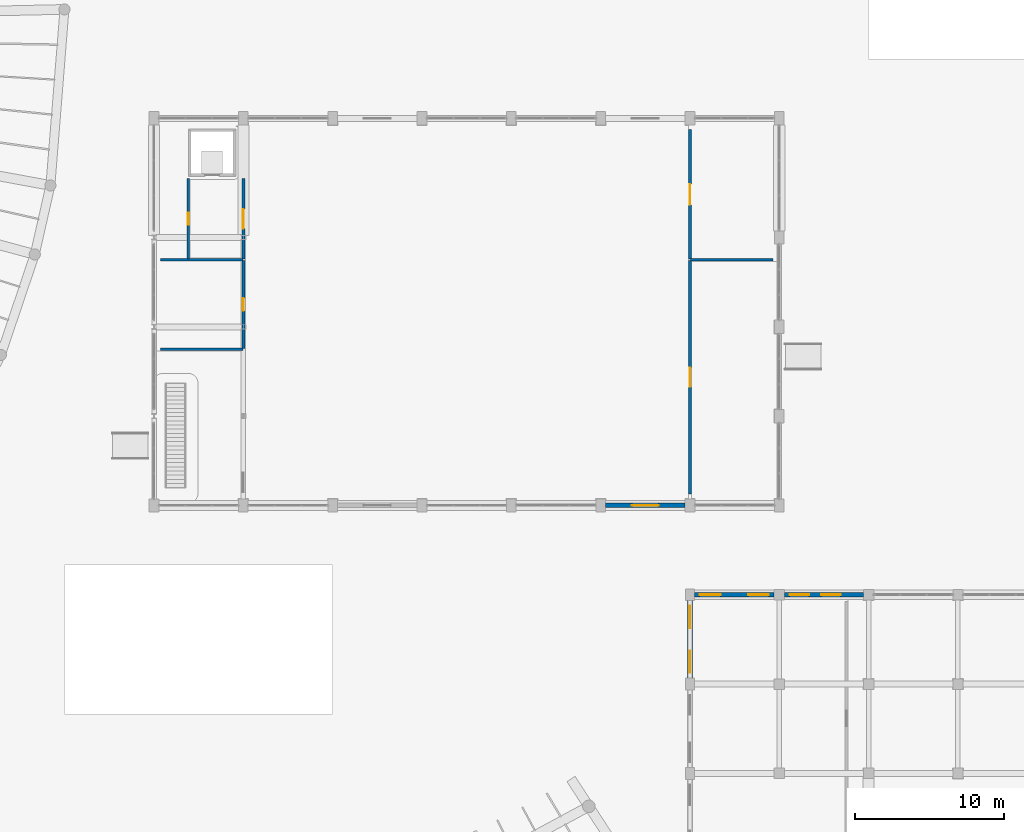
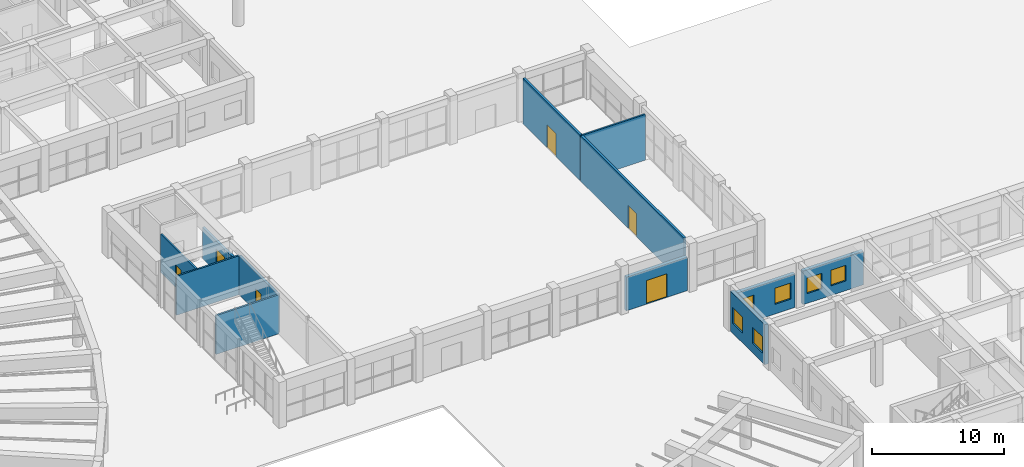
# One storey, part 53 of 76: 12 walls, 6 doors, 6 windows, 12 openings.
"""IFC4 building model written with IfcOpenShell, lengths in metres."""

from ifc_helpers import new_model, si_unit, direction, frame, frame_2d, origin, place, context, subcontext, project, spatial, rectangle, extrude, material, layer, layer_set, type_object, element, fill, save


model = new_model("IFC4")

# Units and contexts
model_context = context("Model", 3, precision=1e-05, world=origin(), true_north=direction((0.0, 1.0)))
body_context = subcontext(model_context, "Body", "Model", "MODEL_VIEW")
ifc_project = project(units=[si_unit("LENGTHUNIT", "METRE"), si_unit("AREAUNIT", "SQUARE_METRE"), si_unit("VOLUMEUNIT", "CUBIC_METRE"), si_unit("PLANEANGLEUNIT", "RADIAN"), si_unit("MASSUNIT", "GRAM", prefix="KILO"), si_unit("POWERUNIT", "WATT"), si_unit("THERMODYNAMICTEMPERATUREUNIT", "KELVIN")], contexts=[model_context])

# Site, building, storey
site_placement = place(None, origin())
site = spatial("IfcSite", under=ifc_project, at=site_placement, CompositionType="ELEMENT")
building_placement = place(site_placement, origin())
building = spatial("IfcBuilding", under=site, at=building_placement, Name="Ruvembo Vaulted Housing Court", CompositionType="ELEMENT")
storey_placement = place(building_placement, origin())
storey = spatial("IfcBuildingStorey", under=building, at=storey_placement, Name="L00", CompositionType="ELEMENT", Elevation=0.0)

# Wall, opening, door
ifc_material_1 = material(Name="Concrete Blockwork 200", Category="masonry")
ifc_layer_1 = layer(ifc_material_1, 0.199951171875, Name="Concrete Blockwork 200")
ifc_layer_set_1 = layer_set([ifc_layer_1], Name="Concrete Blockwork 200")
wall_type_1 = type_object("IfcWallType", Name="WL-CORR-200", PredefinedType="SOLIDWALL", material=ifc_layer_set_1)
wall_1_placement = place(storey_placement, frame((72.0, 52.5400390625, 0.0), z_axis=(0.0, 0.0, 1.0), x_axis=(0.0, 1.0, 0.0)))
wall_1 = element("IfcWall", 1, at=wall_1_placement, inside=storey, type_object=wall_type_1, Name="L00 Hall Toilets WL-INT-L00-00057", PredefinedType="SOLIDWALL", context=body_context, shape_type="SweptSolid", body=[
    extrude(rectangle(XDim=5.919921875, YDim=0.199951171875, at=frame_2d((2.9599609375, 0.0))), origin(), (0.0, 0.0, 1.0), 3.612060546875),
])
opening_1_placement = place(wall_1_placement, frame((2.534912109375, 0.0, 0.0)))
opening_1 = element("IfcOpeningElement", 2, at=opening_1_placement, cuts=wall_1, Name="Opening ID2", PredefinedType="OPENING", context=body_context, shape_type="SweptSolid", body=[
    extrude(rectangle(XDim=0.85009765625, YDim=2.10009765625, at=frame_2d((0.425048828125, 1.050048828125))), frame((0.0, 0.10986328125, 0.0), z_axis=(0.0, -1.0, 0.0), x_axis=(1.0, 0.0, 0.0)), (0.0, 0.0, 1.0), 0.219970703125),
])
ifc_material_2 = material(Name="FSC Hardwood and Engineered Timber", Category="wood")
door_type_1 = type_object("IfcDoorType", Name="DR-WET-0850x2100", OperationType="NOTDEFINED", PredefinedType="DOOR", material=ifc_material_2)
door_1_placement = place(opening_1_placement, origin())
door_1 = element("IfcDoor", 3, at=door_1_placement, inside=storey, type_object=door_type_1, Name="L00 Hall Toilets Door DR-INT-L00-00016", OperationType="SINGLE_SWING_RIGHT", OverallHeight=2.10009765625, OverallWidth=0.85009765625, PredefinedType="DOOR", context=body_context, shape_type="SweptSolid", body=[
    extrude(rectangle(XDim=0.85009765625, YDim=2.10009765625, at=frame_2d((0.425048828125, 1.050048828125))), frame((0.0, 0.02490234375, 0.0), z_axis=(0.0, -1.0, 0.0), x_axis=(1.0, 0.0, 0.0)), (0.0, 0.0, 1.0), 0.050048828125),
])
fill(opening_1, door_1)

wall_2_placement = place(storey_placement, frame((72.0, 58.5400390625, 0.0), z_axis=(0.0, 0.0, 1.0), x_axis=(0.0, 1.0, 0.0)))
wall_2 = element("IfcWall", 4, at=wall_2_placement, inside=storey, type_object=wall_type_1, Name="L00 Hall Lift Lobby WL-INT-L00-00058", PredefinedType="SOLIDWALL", context=body_context, shape_type="SweptSolid", body=[
    extrude(rectangle(XDim=5.419921875, YDim=0.199951171875, at=frame_2d((2.7099609375, 0.0))), origin(), (0.0, 0.0, 1.0), 2.912109375),
])
opening_2_placement = place(wall_2_placement, frame((2.06005859375, 0.0, 0.0)))
opening_2 = element("IfcOpeningElement", 5, at=opening_2_placement, cuts=wall_2, Name="Opening CD2", PredefinedType="OPENING", context=body_context, shape_type="SweptSolid", body=[
    extrude(rectangle(XDim=1.300048828125, YDim=2.14990234375, at=frame_2d((0.64990234375, 1.074951171875))), frame((0.0, 0.10986328125, 0.0), z_axis=(0.0, -1.0, 0.0), x_axis=(1.0, 0.0, 0.0)), (0.0, 0.0, 1.0), 0.219970703125),
])
door_type_2 = type_object("IfcDoorType", Name="DR-CIVIC-1300x2150", OperationType="NOTDEFINED", PredefinedType="DOOR", material=ifc_material_2)
door_2_placement = place(opening_2_placement, origin())
door_2 = element("IfcDoor", 6, at=door_2_placement, inside=storey, type_object=door_type_2, Name="L00 Hall Lift Lobby Door DR-INT-L00-00017", OperationType="SINGLE_SWING_LEFT", OverallHeight=2.14990234375, OverallWidth=1.300048828125, PredefinedType="DOOR", context=body_context, shape_type="SweptSolid", body=[
    extrude(rectangle(XDim=1.300048828125, YDim=2.14990234375, at=frame_2d((0.64990234375, 1.074951171875))), frame((0.0, 0.02490234375, 0.0), z_axis=(0.0, -1.0, 0.0), x_axis=(1.0, 0.0, 0.0)), (0.0, 0.0, 1.0), 0.050048828125),
])
fill(opening_2, door_2)

wall_3_placement = place(storey_placement, frame((102.0, 42.760009765625, 0.0), z_axis=(0.0, 0.0, 1.0), x_axis=(0.0, 1.0, 0.0)))
wall_3 = element("IfcWall", 7, at=wall_3_placement, inside=storey, type_object=wall_type_1, Name="L00 Stage Wall WL-INT-L00-00062", PredefinedType="SOLIDWALL", context=body_context, shape_type="SweptSolid", body=[
    extrude(rectangle(XDim=15.699951171875, YDim=0.199951171875, at=frame_2d((7.85009765625, 0.0))), origin(), (0.0, 0.0, 1.0), 4.22998046875),
])
opening_3_placement = place(wall_3_placement, frame((7.199951171875, 0.0, 0.0)))
opening_3 = element("IfcOpeningElement", 8, at=opening_3_placement, cuts=wall_3, Name="Opening CD2", PredefinedType="OPENING", context=body_context, shape_type="SweptSolid", body=[
    extrude(rectangle(XDim=1.300048828125, YDim=2.14990234375, at=frame_2d((0.64990234375, 1.074951171875))), frame((0.0, 0.10986328125, 0.0), z_axis=(0.0, -1.0, 0.0), x_axis=(1.0, 0.0, 0.0)), (0.0, 0.0, 1.0), 0.219970703125),
])
door_3_placement = place(opening_3_placement, origin())
door_3 = element("IfcDoor", 9, at=door_3_placement, inside=storey, type_object=door_type_2, Name="L00 Stage Wall Door DR-INT-L00-00019", OperationType="SINGLE_SWING_LEFT", OverallHeight=2.14990234375, OverallWidth=1.300048828125, PredefinedType="DOOR", context=body_context, shape_type="SweptSolid", body=[
    extrude(rectangle(XDim=1.300048828125, YDim=2.14990234375, at=frame_2d((0.64990234375, 1.074951171875))), frame((0.0, 0.02490234375, 0.0), z_axis=(0.0, -1.0, 0.0), x_axis=(1.0, 0.0, 0.0)), (0.0, 0.0, 1.0), 0.050048828125),
])
fill(opening_3, door_3)

wall_4_placement = place(storey_placement, frame((102.0, 58.5400390625, 0.0), z_axis=(0.0, 0.0, 1.0), x_axis=(0.0, 1.0, 0.0)))
wall_4 = element("IfcWall", 10, at=wall_4_placement, inside=storey, type_object=wall_type_1, Name="L00 Green Room Wall WL-INT-L00-00063", PredefinedType="SOLIDWALL", context=body_context, shape_type="SweptSolid", body=[
    extrude(rectangle(XDim=8.699951171875, YDim=0.199951171875, at=frame_2d((4.35009765625, 0.0))), origin(), (0.0, 0.0, 1.0), 4.22998046875),
])
opening_4_placement = place(wall_4_placement, frame((3.64990234375, 0.0, 0.0)))
opening_4 = element("IfcOpeningElement", 11, at=opening_4_placement, cuts=wall_4, Name="Opening CD1", PredefinedType="OPENING", context=body_context, shape_type="SweptSolid", body=[
    extrude(rectangle(XDim=1.39990234375, YDim=2.14990234375, at=frame_2d((0.699951171875, 1.074951171875))), frame((0.0, 0.10986328125, 0.0), z_axis=(0.0, -1.0, 0.0), x_axis=(1.0, 0.0, 0.0)), (0.0, 0.0, 1.0), 0.219970703125),
])
door_type_3 = type_object("IfcDoorType", Name="DR-CIVIC-1400x2150", OperationType="NOTDEFINED", PredefinedType="DOOR", material=ifc_material_2)
door_4_placement = place(opening_4_placement, origin())
door_4 = element("IfcDoor", 12, at=door_4_placement, inside=storey, type_object=door_type_3, Name="L00 Green Room Wall Door DR-INT-L00-00020", OperationType="SINGLE_SWING_RIGHT", OverallHeight=2.14990234375, OverallWidth=1.39990234375, PredefinedType="DOOR", context=body_context, shape_type="SweptSolid", body=[
    extrude(rectangle(XDim=1.39990234375, YDim=2.14990234375, at=frame_2d((0.699951171875, 1.074951171875))), frame((0.0, 0.02490234375, 0.0), z_axis=(0.0, -1.0, 0.0), x_axis=(1.0, 0.0, 0.0)), (0.0, 0.0, 1.0), 0.050048828125),
])
fill(opening_4, door_4)

ifc_material_3 = material(Name="Rendered Masonry 300", Category="masonry")
ifc_layer_2 = layer(ifc_material_3, 0.300048828125, Name="Rendered Masonry 300")
ifc_layer_set_2 = layer_set([ifc_layer_2], Name="Rendered Masonry 300")
wall_type_2 = type_object("IfcWallType", Name="WL-EXT-300", PredefinedType="STANDARD", material=ifc_layer_set_2)
wall_5_placement = place(storey_placement, frame((96.324951171875, 42.0, 0.0), z_axis=(0.0, 0.0, 1.0), x_axis=(1.0, 0.0, 0.0)))
wall_5 = element("IfcWall", 13, at=wall_5_placement, inside=storey, type_object=wall_type_2, Name="Community Hall L00 Entrance Bay S6", PredefinedType="STANDARD", context=body_context, shape_type="SweptSolid", body=[
    extrude(rectangle(XDim=5.35009765625, YDim=0.300048828125, at=frame_2d((2.675048828125, 0.0))), origin(), (0.0, 0.0, 1.0), 3.112060546875),
])
opening_5_placement = place(wall_5_placement, frame((1.77490234375, 0.0, 0.0)))
opening_5 = element("IfcOpeningElement", 14, at=opening_5_placement, cuts=wall_5, Name="Opening EX1", PredefinedType="OPENING", context=body_context, shape_type="SweptSolid", body=[
    extrude(rectangle(XDim=1.800048828125, YDim=2.199951171875, at=frame_2d((0.89990234375, 1.10009765625))), frame((0.0, 0.159912109375, 0.0), z_axis=(0.0, -1.0, 0.0), x_axis=(1.0, 0.0, 0.0)), (0.0, 0.0, 1.0), 0.320068359375),
])
ifc_material_4 = material(Name="Thermally Broken Glazed Aluminium", Category="aluminium")
door_type_4 = type_object("IfcDoorType", Name="DR-EXIT-1800x2200", OperationType="NOTDEFINED", PredefinedType="DOOR", material=ifc_material_4)
door_5_placement = place(opening_5_placement, frame((1.800048828125, 0.0, 0.0), z_axis=(0.0, 0.0, 1.0), x_axis=(-1.0, 0.0, 0.0)))
door_5 = element("IfcDoor", 15, at=door_5_placement, inside=storey, type_object=door_type_4, Name="Community Hall Final Exit S6", OperationType="DOUBLE_DOOR_SINGLE_SWING", OverallHeight=2.199951171875, OverallWidth=1.800048828125, PredefinedType="DOOR", context=body_context, shape_type="SweptSolid", body=[
    extrude(rectangle(XDim=1.800048828125, YDim=2.199951171875, at=frame_2d((0.89990234375, 1.10009765625))), frame((0.0, 0.02490234375, 0.0), z_axis=(0.0, -1.0, 0.0), x_axis=(1.0, 0.0, 0.0)), (0.0, 0.0, 1.0), 0.050048828125),
])
fill(opening_5, door_5)

# Wall, openings, windows
ifc_material_5 = material(Name="Rendered Masonry 320", Category="masonry")
ifc_layer_3 = layer(ifc_material_5, 0.320068359375, Name="Rendered Masonry 320")
ifc_layer_set_3 = layer_set([ifc_layer_3], Name="Rendered Masonry 320")
wall_type_3 = type_object("IfcWallType", Name="WL-EXT-320", PredefinedType="STANDARD", material=ifc_layer_set_3)
wall_6_placement = place(storey_placement, frame((113.64990234375, 36.0, 0.0), z_axis=(0.0, 0.0, 1.0), x_axis=(-1.0, 0.0, 0.0)))
wall_6 = element("IfcWall", 16, at=wall_6_placement, inside=storey, type_object=wall_type_3, Name="Block C L00 Exterior Wall COURTYARD #5", PredefinedType="STANDARD", context=body_context, shape_type="SweptSolid", body=[
    extrude(rectangle(XDim=5.2998046875, YDim=0.320068359375, at=frame_2d((2.64990234375, 0.0))), origin(), (0.0, 0.0, 1.0), 3.112060546875),
])
opening_6_placement = place(wall_6_placement, frame((1.5400390625, 0.0, 0.89990234375)))
opening_6 = element("IfcOpeningElement", 17, at=opening_6_placement, cuts=wall_6, Name="Opening W15", PredefinedType="OPENING", context=body_context, shape_type="SweptSolid", body=[
    extrude(rectangle(XDim=1.300048828125, YDim=1.449951171875, at=frame_2d((0.64990234375, 0.72509765625))), frame((0.0, 0.169921875, 0.0), z_axis=(0.0, -1.0, 0.0), x_axis=(1.0, 0.0, 0.0)), (0.0, 0.0, 1.0), 0.340087890625),
])
opening_7_placement = place(wall_6_placement, frame((3.64990234375, 0.0, 0.89990234375)))
opening_7 = element("IfcOpeningElement", 18, at=opening_7_placement, cuts=wall_6, Name="Opening W15", PredefinedType="OPENING", context=body_context, shape_type="SweptSolid", body=[
    extrude(rectangle(XDim=1.300048828125, YDim=1.449951171875, at=frame_2d((0.64990234375, 0.72509765625))), frame((0.0, 0.169921875, 0.0), z_axis=(0.0, -1.0, 0.0), x_axis=(1.0, 0.0, 0.0)), (0.0, 0.0, 1.0), 0.340087890625),
])
ifc_material_6 = material(Name="Double Solar-Control Glazing in Aluminium Frame", Category="aluminium")
window_type_1 = type_object("IfcWindowType", Name="WIN-1300x1450", PartitioningType="SINGLE_PANEL", PredefinedType="WINDOW", material=ifc_material_6)
window_1_placement = place(opening_6_placement, origin())
window_1 = element("IfcWindow", 19, at=window_1_placement, inside=storey, type_object=window_type_1, Name="Block C L00 Window #1093", OverallHeight=1.449951171875, OverallWidth=1.300048828125, PartitioningType="SINGLE_PANEL", PredefinedType="WINDOW", context=body_context, shape_type="SweptSolid", body=[
    extrude(rectangle(XDim=1.300048828125, YDim=1.449951171875, at=frame_2d((0.64990234375, 0.72509765625))), frame((0.0, 0.030029296875, 0.0), z_axis=(0.0, -1.0, 0.0), x_axis=(1.0, 0.0, 0.0)), (0.0, 0.0, 1.0), 0.06005859375),
])
fill(opening_6, window_1)
window_2_placement = place(opening_7_placement, origin())
window_2 = element("IfcWindow", 20, at=window_2_placement, inside=storey, type_object=window_type_1, Name="Block C L00 Window #1094", OverallHeight=1.449951171875, OverallWidth=1.300048828125, PartitioningType="SINGLE_PANEL", PredefinedType="WINDOW", context=body_context, shape_type="SweptSolid", body=[
    extrude(rectangle(XDim=1.300048828125, YDim=1.449951171875, at=frame_2d((0.64990234375, 0.72509765625))), frame((0.0, 0.030029296875, 0.0), z_axis=(0.0, -1.0, 0.0), x_axis=(1.0, 0.0, 0.0)), (0.0, 0.0, 1.0), 0.06005859375),
])
fill(opening_7, window_2)

wall_7_placement = place(storey_placement, frame((107.64990234375, 36.0, 0.0), z_axis=(0.0, 0.0, 1.0), x_axis=(-1.0, 0.0, 0.0)))
wall_7 = element("IfcWall", 21, at=wall_7_placement, inside=storey, type_object=wall_type_3, Name="Block C L00 Exterior Wall COURTYARD #6", PredefinedType="STANDARD", context=body_context, shape_type="SweptSolid", body=[
    extrude(rectangle(XDim=5.349853515625, YDim=0.320068359375, at=frame_2d((2.6748046875, 0.0))), origin(), (0.0, 0.0, 1.0), 3.112060546875),
])
opening_8_placement = place(wall_7_placement, frame((0.35009765625, 0.0, 0.89990234375)))
opening_8 = element("IfcOpeningElement", 22, at=opening_8_placement, cuts=wall_7, Name="Opening W17", PredefinedType="OPENING", context=body_context, shape_type="SweptSolid", body=[
    extrude(rectangle(XDim=1.39990234375, YDim=1.5, at=frame_2d((0.699951171875, 0.75))), frame((0.0, 0.169921875, 0.0), z_axis=(0.0, -1.0, 0.0), x_axis=(1.0, 0.0, 0.0)), (0.0, 0.0, 1.0), 0.340087890625),
])
opening_9_placement = place(wall_7_placement, frame((3.60009765625, 0.0, 0.89990234375)))
opening_9 = element("IfcOpeningElement", 23, at=opening_9_placement, cuts=wall_7, Name="Opening W17", PredefinedType="OPENING", context=body_context, shape_type="SweptSolid", body=[
    extrude(rectangle(XDim=1.39990234375, YDim=1.5, at=frame_2d((0.699951171875, 0.75))), frame((0.0, 0.169921875, 0.0), z_axis=(0.0, -1.0, 0.0), x_axis=(1.0, 0.0, 0.0)), (0.0, 0.0, 1.0), 0.340087890625),
])
window_type_2 = type_object("IfcWindowType", Name="WIN-1400x1500", PartitioningType="SINGLE_PANEL", PredefinedType="WINDOW", material=ifc_material_6)
window_3_placement = place(opening_8_placement, origin())
window_3 = element("IfcWindow", 24, at=window_3_placement, inside=storey, type_object=window_type_2, Name="Block C L00 Window #1095", OverallHeight=1.5, OverallWidth=1.39990234375, PartitioningType="SINGLE_PANEL", PredefinedType="WINDOW", context=body_context, shape_type="SweptSolid", body=[
    extrude(rectangle(XDim=1.39990234375, YDim=1.5, at=frame_2d((0.699951171875, 0.75))), frame((0.0, 0.030029296875, 0.0), z_axis=(0.0, -1.0, 0.0), x_axis=(1.0, 0.0, 0.0)), (0.0, 0.0, 1.0), 0.06005859375),
])
fill(opening_8, window_3)
window_4_placement = place(opening_9_placement, origin())
window_4 = element("IfcWindow", 25, at=window_4_placement, inside=storey, type_object=window_type_2, Name="Block C L00 Window #1096", OverallHeight=1.5, OverallWidth=1.39990234375, PartitioningType="SINGLE_PANEL", PredefinedType="WINDOW", context=body_context, shape_type="SweptSolid", body=[
    extrude(rectangle(XDim=1.39990234375, YDim=1.5, at=frame_2d((0.699951171875, 0.75))), frame((0.0, 0.030029296875, 0.0), z_axis=(0.0, -1.0, 0.0), x_axis=(1.0, 0.0, 0.0)), (0.0, 0.0, 1.0), 0.06005859375),
])
fill(opening_9, window_4)

wall_8_placement = place(storey_placement, frame((102.0, 35.60009765625, 0.0), z_axis=(0.0, 0.0, 1.0), x_axis=(0.0, -1.0, 0.0)))
wall_8 = element("IfcWall", 26, at=wall_8_placement, inside=storey, type_object=wall_type_3, Name="Block C L00 Exterior Wall WEST #1", PredefinedType="STANDARD", context=body_context, shape_type="SweptSolid", body=[
    extrude(rectangle(XDim=5.2001953125, YDim=0.320068359375, at=frame_2d((2.60009765625, 0.0))), origin(), (0.0, 0.0, 1.0), 3.7119140625),
])
opening_10_placement = place(wall_8_placement, frame((0.35009765625, 0.0, 0.89990234375)))
opening_10 = element("IfcOpeningElement", 27, at=opening_10_placement, cuts=wall_8, Name="Opening W19", PredefinedType="OPENING", context=body_context, shape_type="SweptSolid", body=[
    extrude(rectangle(XDim=1.5, YDim=1.5, at=frame_2d((0.75, 0.75))), frame((0.0, 0.169921875, 0.0), z_axis=(0.0, -1.0, 0.0), x_axis=(1.0, 0.0, 0.0)), (0.0, 0.0, 1.0), 0.340087890625),
])
opening_11_placement = place(wall_8_placement, frame((3.35009765625, 0.0, 0.89990234375)))
opening_11 = element("IfcOpeningElement", 28, at=opening_11_placement, cuts=wall_8, Name="Opening W19", PredefinedType="OPENING", context=body_context, shape_type="SweptSolid", body=[
    extrude(rectangle(XDim=1.5, YDim=1.5, at=frame_2d((0.75, 0.75))), frame((0.0, 0.169921875, 0.0), z_axis=(0.0, -1.0, 0.0), x_axis=(1.0, 0.0, 0.0)), (0.0, 0.0, 1.0), 0.340087890625),
])
window_type_3 = type_object("IfcWindowType", Name="WIN-1500x1500", PartitioningType="SINGLE_PANEL", PredefinedType="WINDOW", material=ifc_material_6)
window_5_placement = place(opening_10_placement, origin())
window_5 = element("IfcWindow", 29, at=window_5_placement, inside=storey, type_object=window_type_3, Name="Block C L00 Window #1097", OverallHeight=1.5, OverallWidth=1.5, PartitioningType="SINGLE_PANEL", PredefinedType="WINDOW", context=body_context, shape_type="SweptSolid", body=[
    extrude(rectangle(XDim=1.5, YDim=1.5, at=frame_2d((0.75, 0.75))), frame((0.0, 0.030029296875, 0.0), z_axis=(0.0, -1.0, 0.0), x_axis=(1.0, 0.0, 0.0)), (0.0, 0.0, 1.0), 0.06005859375),
])
fill(opening_10, window_5)
window_6_placement = place(opening_11_placement, origin())
window_6 = element("IfcWindow", 30, at=window_6_placement, inside=storey, type_object=window_type_3, Name="Block C L00 Window #1098", OverallHeight=1.5, OverallWidth=1.5, PartitioningType="SINGLE_PANEL", PredefinedType="WINDOW", context=body_context, shape_type="SweptSolid", body=[
    extrude(rectangle(XDim=1.5, YDim=1.5, at=frame_2d((0.75, 0.75))), frame((0.0, 0.030029296875, 0.0), z_axis=(0.0, -1.0, 0.0), x_axis=(1.0, 0.0, 0.0)), (0.0, 0.0, 1.0), 0.06005859375),
])
fill(opening_11, window_6)

# Wall, opening, door
ifc_material_7 = material(Name="Moisture-Resistant Wet Partition 150", Category="gypsum")
ifc_layer_4 = layer(ifc_material_7, 0.14990234375, Name="Moisture-Resistant Wet Partition 150")
ifc_layer_set_4 = layer_set([ifc_layer_4], Name="Moisture-Resistant Wet Partition 150")
wall_type_4 = type_object("IfcWallType", Name="WL-PART-150", PredefinedType="PARTITIONING", material=ifc_layer_set_4)
wall_9_placement = place(storey_placement, frame((68.300048828125, 58.5400390625, 0.0), z_axis=(0.0, 0.0, 1.0), x_axis=(0.0, 1.0, 0.0)))
wall_9 = element("IfcWall", 31, at=wall_9_placement, inside=storey, type_object=wall_type_4, Name="L00 Hall Accessible WC Divider WL-INT-L00-00059", PredefinedType="PARTITIONING", context=body_context, shape_type="SweptSolid", body=[
    extrude(rectangle(XDim=5.419921875, YDim=0.14990234375, at=frame_2d((2.7099609375, 0.0))), origin(), (0.0, 0.0, 1.0), 3.56201171875),
])
opening_12_placement = place(wall_9_placement, frame((2.300048828125, 0.0, 0.0)))
opening_12 = element("IfcOpeningElement", 32, at=opening_12_placement, cuts=wall_9, Name="Opening ID4", PredefinedType="OPENING", context=body_context, shape_type="SweptSolid", body=[
    extrude(rectangle(XDim=0.820068359375, YDim=2.080078125, at=frame_2d((0.41015625, 1.0400390625))), frame((0.0, 0.0849609375, 0.0), z_axis=(0.0, -1.0, 0.0), x_axis=(1.0, 0.0, 0.0)), (0.0, 0.0, 1.0), 0.169921875),
])
door_type_5 = type_object("IfcDoorType", Name="DR-WET-0820x2080", OperationType="NOTDEFINED", PredefinedType="DOOR", material=ifc_material_2)
door_6_placement = place(opening_12_placement, origin())
door_6 = element("IfcDoor", 33, at=door_6_placement, inside=storey, type_object=door_type_5, Name="L00 Hall Accessible WC Divider Door DR-INT-L00-00018", OperationType="SINGLE_SWING_RIGHT", OverallHeight=2.080078125, OverallWidth=0.820068359375, PredefinedType="DOOR", context=body_context, shape_type="SweptSolid", body=[
    extrude(rectangle(XDim=0.820068359375, YDim=2.080078125, at=frame_2d((0.41015625, 1.0400390625))), frame((0.0, 0.02490234375, 0.0), z_axis=(0.0, -1.0, 0.0), x_axis=(1.0, 0.0, 0.0)), (0.0, 0.0, 1.0), 0.050048828125),
])
fill(opening_12, door_6)

# Walls
for number, where, z_axis, x_axis, name in (
    (34, (66.43994140625, 52.5, 0.0), (0.0, 0.0, 1.0), (1.0, 0.0, 0.0), "L00 Hall West Divider 1 WL-INT-L00-00060"),
    (35, (66.43994140625, 58.5, 0.0), (0.0, 0.0, 1.0), (1.0, 0.0, 0.0), "L00 Hall West Divider 2 WL-INT-L00-00061"),
):
    element("IfcWall", number, at=place(storey_placement, frame(where, z_axis=z_axis, x_axis=x_axis)), inside=storey, type_object=wall_type_4, Name=name, PredefinedType="PARTITIONING", context=body_context, shape_type="SweptSolid", body=[
        extrude(rectangle(XDim=5.52001953125, YDim=0.14990234375, at=frame_2d((2.760009765625, 0.0))), origin(), (0.0, 0.0, 1.0), 3.612060546875),
    ])
wall_10_placement = place(storey_placement, frame((102.0400390625, 58.5, 0.0), z_axis=(0.0, 0.0, 1.0), x_axis=(1.0, 0.0, 0.0)))
element("IfcWall", 36, at=wall_10_placement, inside=storey, type_object=wall_type_4, Name="L00 Stage Green Divider WL-INT-L00-00064", PredefinedType="PARTITIONING", context=body_context, shape_type="SweptSolid", body=[
    extrude(rectangle(XDim=5.52001953125, YDim=0.14990234375, at=frame_2d((2.760009765625, 0.0))), origin(), (0.0, 0.0, 1.0), 4.22998046875),
])

save(model, "model.ifc")
